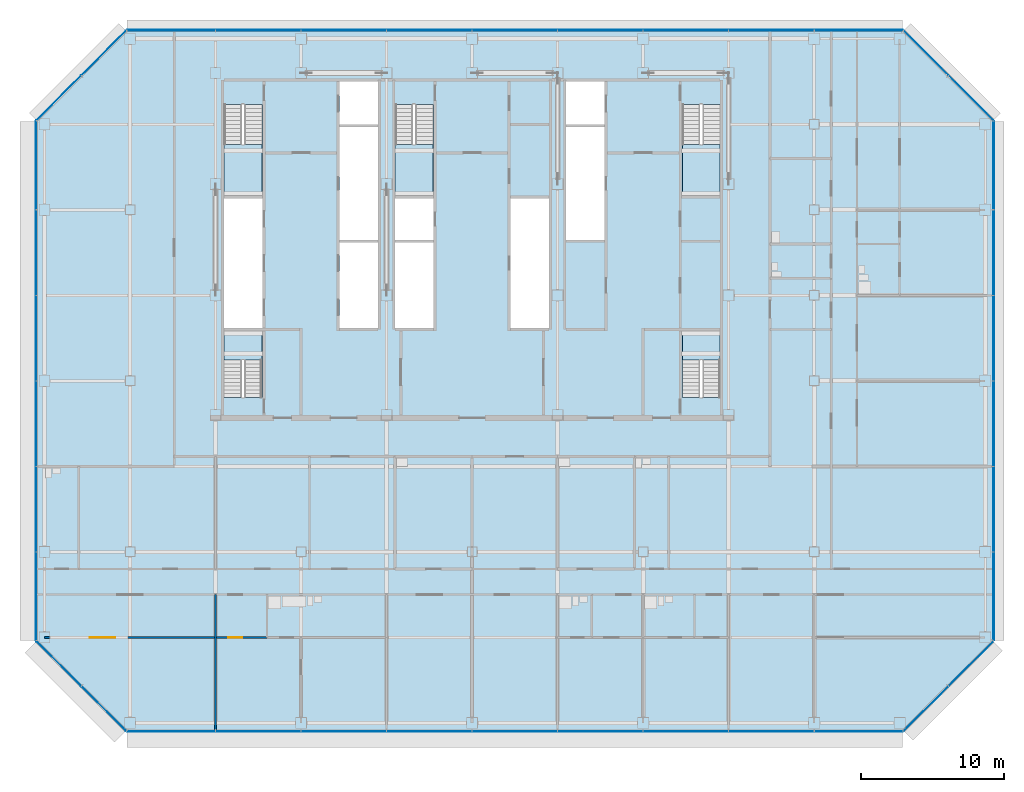
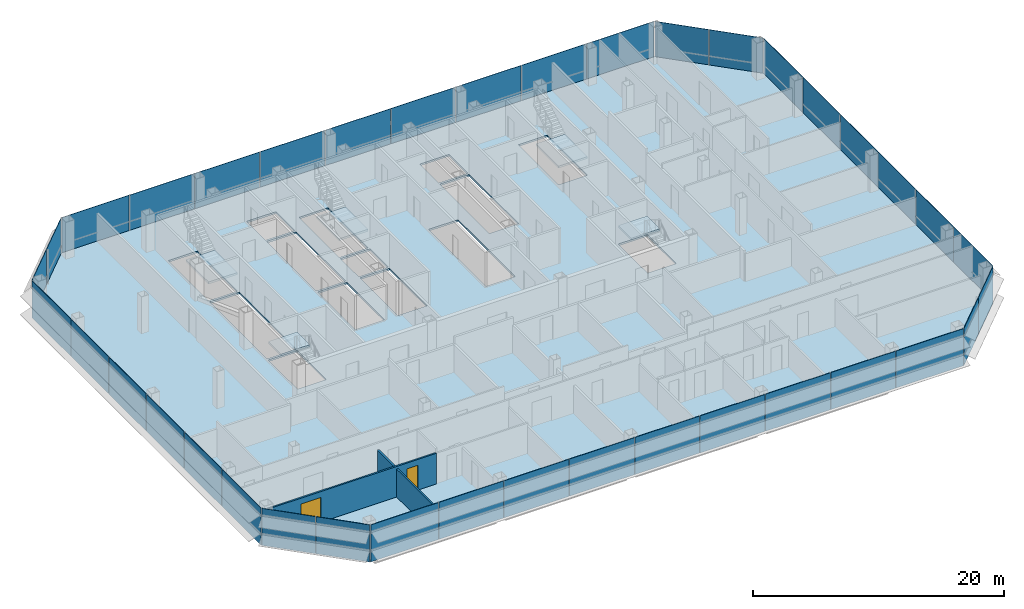
# One storey, part 18 of 25: 38 plates, 6 slabs, 2 doors, 2 walls, 2 openings, 13 elements without a shape of their own.
"""IFC4 building model written with IfcOpenShell, lengths in metres."""

from ifc_helpers import new_model, si_unit, direction, frame, frame_2d, origin, origin_2d, place, context, subcontext, project, spatial, polyline, rectangle, outline, extrude, material, layer, layer_set, type_object, element, fill, aggregate, save


model = new_model("IFC4")

# Units and contexts
model_context = context("Model", 3, precision=1e-05, world=origin(), true_north=direction((0.0, 1.0)))
body_context = subcontext(model_context, "Body", "Model", "MODEL_VIEW")
ifc_project = project(units=[si_unit("LENGTHUNIT", "METRE"), si_unit("AREAUNIT", "SQUARE_METRE"), si_unit("VOLUMEUNIT", "CUBIC_METRE"), si_unit("PLANEANGLEUNIT", "RADIAN"), si_unit("MASSUNIT", "GRAM", prefix="KILO")], contexts=[model_context])

# Site, building, storey
site_placement = place(None, origin())
site = spatial("IfcSite", under=ifc_project, at=site_placement, CompositionType="ELEMENT")
building_placement = place(site_placement, origin())
building = spatial("IfcBuilding", under=site, at=building_placement, Name="Sorahane Residences", CompositionType="ELEMENT")
storey_placement = place(building_placement, frame((0.0, 0.0, 123.199951171875)))
storey = spatial("IfcBuildingStorey", under=building, at=storey_placement, Name="L27", CompositionType="ELEMENT", Elevation=123.199951171875)

# Slab
ifc_material_1 = material(Name="Concrete C35", Category="concrete")
ifc_layer_1 = layer(ifc_material_1, 0.179931640625)
ifc_layer_set_1 = layer_set([ifc_layer_1], Name="Composite floor slab 180 mm Concrete C35")
slab_type_1 = type_object("IfcSlabType", Name="Composite floor slab 180 mm Concrete C35", PredefinedType="FLOOR", material=ifc_layer_set_1)
slab_1_placement = place(storey_placement, frame((0.0, 0.0, -0.179931640625)))
element("IfcSlab", 1, at=slab_1_placement, inside=storey, type_object=slab_type_1, Name="Slab L27", PredefinedType="FLOOR", context=body_context, shape_type="SweptSolid", body=[
    extrude(outline(polyline([(-0.24853515625, -0.60009765625), (-6.60009765625, 5.75146484375), (-6.60009765625, 42.24853515625), (-0.24853515625, 48.60009765625), (54.24853515625, 48.60009765625), (60.60009765625, 42.24853515625), (60.60009765625, 5.75146484375), (54.24853515625, -0.60009765625), (-0.24853515625, -0.60009765625)]), holes=[polyline([(18.60009765625, 27.699951171875), (21.300048828125, 27.699951171875), (21.300048828125, 33.699951171875), (18.60009765625, 33.699951171875), (18.60009765625, 27.699951171875)]), polyline([(30.60009765625, 42.0), (33.300048828125, 42.0), (33.300048828125, 45.0), (30.60009765625, 45.0), (30.60009765625, 42.0)]), polyline([(14.699951171875, 27.699951171875), (17.39990234375, 27.699951171875), (17.39990234375, 33.699951171875), (14.699951171875, 33.699951171875), (14.699951171875, 27.699951171875)]), polyline([(14.699951171875, 42.0), (17.39990234375, 42.0), (17.39990234375, 45.0), (14.699951171875, 45.0), (14.699951171875, 42.0)]), polyline([(6.60009765625, 27.699951171875), (9.300048828125, 27.699951171875), (9.300048828125, 36.800048828125), (6.60009765625, 36.800048828125), (6.60009765625, 27.699951171875)]), polyline([(6.60009765625, 43.39990234375), (6.60009765625, 37.0), (9.25, 37.0), (9.25, 43.39990234375), (6.60009765625, 43.39990234375)]), polyline([(38.75, 43.39990234375), (38.75, 37.0), (41.39990234375, 37.0), (41.39990234375, 43.39990234375), (38.75, 43.39990234375)]), polyline([(18.60009765625, 43.39990234375), (18.60009765625, 37.0), (21.25, 37.0), (21.25, 43.39990234375), (18.60009765625, 43.39990234375)]), polyline([(9.25, 22.85009765625), (9.25, 27.5), (6.60009765625, 27.5), (6.60009765625, 22.85009765625), (9.25, 22.85009765625)]), polyline([(41.39990234375, 22.85009765625), (41.39990234375, 27.5), (38.75, 27.5), (38.75, 22.85009765625), (41.39990234375, 22.85009765625)]), polyline([(14.699951171875, 33.89990234375), (17.39990234375, 33.89990234375), (17.39990234375, 41.800048828125), (14.699951171875, 41.800048828125), (14.699951171875, 33.89990234375)]), polyline([(30.60009765625, 33.89990234375), (33.300048828125, 33.89990234375), (33.300048828125, 41.800048828125), (30.60009765625, 41.800048828125), (30.60009765625, 33.89990234375)]), polyline([(18.60009765625, 33.89990234375), (21.300048828125, 33.89990234375), (21.300048828125, 36.800048828125), (18.60009765625, 36.800048828125), (18.60009765625, 33.89990234375)]), polyline([(26.699951171875, 27.699951171875), (29.39990234375, 27.699951171875), (29.39990234375, 36.800048828125), (26.699951171875, 36.800048828125), (26.699951171875, 27.699951171875)])]), origin(), (0.0, 0.0, 1.0), 0.179931640625),
])

# Curtain wall, plates
ifc_material_2 = material(Name="Dark low-e glass and black anodised aluminium", Category="aluminium")
curtain_wall_type_1 = type_object("IfcCurtainWallType", Name="Curtain wall CW-1 Typical unitised wall", PredefinedType="NOTDEFINED", material=ifc_material_2)
curtain_wall_1_placement = place(storey_placement, origin())
curtain_wall_1 = element("IfcCurtainWall", 2, at=curtain_wall_1_placement, inside=storey, type_object=curtain_wall_type_1, Name="CW-1 curtain wall L27 S1", PredefinedType="NOTDEFINED")
ifc_material_3 = material(Name="Dark low-e glass with black ceramic frit", Category="glass")
ifc_layer_2 = layer(ifc_material_3, 0.0400390625)
ifc_layer_set_2 = layer_set([ifc_layer_2], Name="Curtain wall glass panel dark low-e with black frit spandrel band")
plate_type = type_object("IfcPlateType", Name="Curtain wall glass panel dark low-e with black frit spandrel band", PredefinedType="CURTAIN_PANEL", material=ifc_layer_set_2)
plate_1_placement = place(storey_placement, frame((2.88818359375, -0.60009765625, -0.179931640625), z_axis=(0.0, 0.0, 1.0), x_axis=(1.0, 0.0, 0.0)))
plate_1 = element("IfcPlate", 3, at=plate_1_placement, type_object=plate_type, Name="CW-1 glass panel L27 S1.1", PredefinedType="CURTAIN_PANEL", context=body_context, shape_type="SweptSolid", body=[
    extrude(rectangle(XDim=6.173583984375, YDim=0.0400390625, at=origin_2d()), origin(), (0.0, 0.0, 1.0), 3.60009765625),
])
plate_2_placement = place(storey_placement, frame((9.0, -0.60009765625, -0.179931640625), z_axis=(0.0, 0.0, 1.0), x_axis=(1.0, 0.0, 0.0)))
plate_2 = element("IfcPlate", 4, at=plate_2_placement, type_object=plate_type, Name="CW-1 glass panel L27 S1.2", PredefinedType="CURTAIN_PANEL", context=body_context, shape_type="SweptSolid", body=[
    extrude(rectangle(XDim=5.949951171875, YDim=0.0400390625, at=origin_2d()), origin(), (0.0, 0.0, 1.0), 3.60009765625),
])
plate_3_placement = place(storey_placement, frame((15.0, -0.60009765625, -0.179931640625), z_axis=(0.0, 0.0, 1.0), x_axis=(1.0, 0.0, 0.0)))
plate_3 = element("IfcPlate", 5, at=plate_3_placement, type_object=plate_type, Name="CW-1 glass panel L27 S1.3", PredefinedType="CURTAIN_PANEL", context=body_context, shape_type="SweptSolid", body=[
    extrude(rectangle(XDim=5.949951171875, YDim=0.0400390625, at=origin_2d()), origin(), (0.0, 0.0, 1.0), 3.60009765625),
])
plate_4_placement = place(storey_placement, frame((21.0, -0.60009765625, -0.179931640625), z_axis=(0.0, 0.0, 1.0), x_axis=(1.0, 0.0, 0.0)))
plate_4 = element("IfcPlate", 6, at=plate_4_placement, type_object=plate_type, Name="CW-1 glass panel L27 S1.4", PredefinedType="CURTAIN_PANEL", context=body_context, shape_type="SweptSolid", body=[
    extrude(rectangle(XDim=5.949951171875, YDim=0.0400390625, at=origin_2d()), origin(), (0.0, 0.0, 1.0), 3.60009765625),
])
plate_5_placement = place(storey_placement, frame((27.0, -0.60009765625, -0.179931640625), z_axis=(0.0, 0.0, 1.0), x_axis=(1.0, 0.0, 0.0)))
plate_5 = element("IfcPlate", 7, at=plate_5_placement, type_object=plate_type, Name="CW-1 glass panel L27 S1.5", PredefinedType="CURTAIN_PANEL", context=body_context, shape_type="SweptSolid", body=[
    extrude(rectangle(XDim=5.949951171875, YDim=0.0400390625, at=origin_2d()), origin(), (0.0, 0.0, 1.0), 3.60009765625),
])
plate_6_placement = place(storey_placement, frame((33.0, -0.60009765625, -0.179931640625), z_axis=(0.0, 0.0, 1.0), x_axis=(1.0, 0.0, 0.0)))
plate_6 = element("IfcPlate", 8, at=plate_6_placement, type_object=plate_type, Name="CW-1 glass panel L27 S1.6", PredefinedType="CURTAIN_PANEL", context=body_context, shape_type="SweptSolid", body=[
    extrude(rectangle(XDim=5.949951171875, YDim=0.0400390625, at=origin_2d()), origin(), (0.0, 0.0, 1.0), 3.60009765625),
])
plate_7_placement = place(storey_placement, frame((39.0, -0.60009765625, -0.179931640625), z_axis=(0.0, 0.0, 1.0), x_axis=(1.0, 0.0, 0.0)))
plate_7 = element("IfcPlate", 9, at=plate_7_placement, type_object=plate_type, Name="CW-1 glass panel L27 S1.7", PredefinedType="CURTAIN_PANEL", context=body_context, shape_type="SweptSolid", body=[
    extrude(rectangle(XDim=5.949951171875, YDim=0.0400390625, at=origin_2d()), origin(), (0.0, 0.0, 1.0), 3.60009765625),
])
plate_8_placement = place(storey_placement, frame((45.0, -0.60009765625, -0.179931640625), z_axis=(0.0, 0.0, 1.0), x_axis=(1.0, 0.0, 0.0)))
plate_8 = element("IfcPlate", 10, at=plate_8_placement, type_object=plate_type, Name="CW-1 glass panel L27 S1.8", PredefinedType="CURTAIN_PANEL", context=body_context, shape_type="SweptSolid", body=[
    extrude(rectangle(XDim=5.949951171875, YDim=0.0400390625, at=origin_2d()), origin(), (0.0, 0.0, 1.0), 3.60009765625),
])
plate_9_placement = place(storey_placement, frame((51.11181640625, -0.60009765625, -0.179931640625), z_axis=(0.0, 0.0, 1.0), x_axis=(1.0, 0.0, 0.0)))
plate_9 = element("IfcPlate", 11, at=plate_9_placement, type_object=plate_type, Name="CW-1 glass panel L27 S1.9", PredefinedType="CURTAIN_PANEL", context=body_context, shape_type="SweptSolid", body=[
    extrude(rectangle(XDim=6.173583984375, YDim=0.0400390625, at=origin_2d()), origin(), (0.0, 0.0, 1.0), 3.60009765625),
])
aggregate(curtain_wall_1, [plate_1, plate_2, plate_3, plate_4, plate_5, plate_6, plate_7, plate_8, plate_9])

ifc_material_4 = material(Name="Dark low-e glass and black anodised aluminium", Category="aluminium")
curtain_wall_type_2 = type_object("IfcCurtainWallType", Name="Curtain wall CW-2 Chamfer unitised wall", PredefinedType="NOTDEFINED", material=ifc_material_4)
curtain_wall_2_placement = place(storey_placement, origin())
curtain_wall_2 = element("IfcCurtainWall", 12, at=curtain_wall_2_placement, inside=storey, type_object=curtain_wall_type_2, Name="CW-2 curtain wall L27 SE1", PredefinedType="NOTDEFINED")
plate_10_placement = place(storey_placement, frame((55.84521484375, 0.996826171875, -0.179931640625), z_axis=(0.0, 0.0, 1.0), x_axis=(0.707106781187, 0.707106781187, 0.0)))
plate_10 = element("IfcPlate", 13, at=plate_10_placement, type_object=plate_type, Name="CW-2 glass panel L27 SE1.1", PredefinedType="CURTAIN_PANEL", context=body_context, shape_type="SweptSolid", body=[
    extrude(rectangle(XDim=4.416259765625, YDim=0.0400390625, at=origin_2d()), origin(), (0.0, 0.0, 1.0), 3.60009765625),
])
plate_11_placement = place(storey_placement, frame((59.003173828125, 4.15478515625, -0.179931640625), z_axis=(0.0, 0.0, 1.0), x_axis=(0.707106781187, 0.707106781187, 0.0)))
plate_11 = element("IfcPlate", 14, at=plate_11_placement, type_object=plate_type, Name="CW-2 glass panel L27 SE1.2", PredefinedType="CURTAIN_PANEL", context=body_context, shape_type="SweptSolid", body=[
    extrude(rectangle(XDim=4.416259765625, YDim=0.0400390625, at=origin_2d()), origin(), (0.0, 0.0, 1.0), 3.60009765625),
])
aggregate(curtain_wall_2, [plate_10, plate_11])

curtain_wall_3_placement = place(storey_placement, origin())
curtain_wall_3 = element("IfcCurtainWall", 15, at=curtain_wall_3_placement, inside=storey, type_object=curtain_wall_type_1, Name="CW-1 curtain wall L27 E1", PredefinedType="NOTDEFINED")
plate_12_placement = place(storey_placement, frame((60.60009765625, 8.88818359375, -0.179931640625), z_axis=(0.0, 0.0, 1.0), x_axis=(0.0, 1.0, 0.0)))
plate_12 = element("IfcPlate", 16, at=plate_12_placement, type_object=plate_type, Name="CW-1 glass panel L27 E1.1", PredefinedType="CURTAIN_PANEL", context=body_context, shape_type="SweptSolid", body=[
    extrude(rectangle(XDim=6.173583984375, YDim=0.0400390625, at=origin_2d()), origin(), (0.0, 0.0, 1.0), 3.60009765625),
])
plate_13_placement = place(storey_placement, frame((60.60009765625, 15.0, -0.179931640625), z_axis=(0.0, 0.0, 1.0), x_axis=(0.0, 1.0, 0.0)))
plate_13 = element("IfcPlate", 17, at=plate_13_placement, type_object=plate_type, Name="CW-1 glass panel L27 E1.2", PredefinedType="CURTAIN_PANEL", context=body_context, shape_type="SweptSolid", body=[
    extrude(rectangle(XDim=5.949951171875, YDim=0.0400390625, at=origin_2d()), origin(), (0.0, 0.0, 1.0), 3.60009765625),
])
plate_14_placement = place(storey_placement, frame((60.60009765625, 21.0, -0.179931640625), z_axis=(0.0, 0.0, 1.0), x_axis=(0.0, 1.0, 0.0)))
plate_14 = element("IfcPlate", 18, at=plate_14_placement, type_object=plate_type, Name="CW-1 glass panel L27 E1.3", PredefinedType="CURTAIN_PANEL", context=body_context, shape_type="SweptSolid", body=[
    extrude(rectangle(XDim=5.949951171875, YDim=0.0400390625, at=origin_2d()), origin(), (0.0, 0.0, 1.0), 3.60009765625),
])
plate_15_placement = place(storey_placement, frame((60.60009765625, 27.0, -0.179931640625), z_axis=(0.0, 0.0, 1.0), x_axis=(0.0, 1.0, 0.0)))
plate_15 = element("IfcPlate", 19, at=plate_15_placement, type_object=plate_type, Name="CW-1 glass panel L27 E1.4", PredefinedType="CURTAIN_PANEL", context=body_context, shape_type="SweptSolid", body=[
    extrude(rectangle(XDim=5.949951171875, YDim=0.0400390625, at=origin_2d()), origin(), (0.0, 0.0, 1.0), 3.60009765625),
])
plate_16_placement = place(storey_placement, frame((60.60009765625, 33.0, -0.179931640625), z_axis=(0.0, 0.0, 1.0), x_axis=(0.0, 1.0, 0.0)))
plate_16 = element("IfcPlate", 20, at=plate_16_placement, type_object=plate_type, Name="CW-1 glass panel L27 E1.5", PredefinedType="CURTAIN_PANEL", context=body_context, shape_type="SweptSolid", body=[
    extrude(rectangle(XDim=5.949951171875, YDim=0.0400390625, at=origin_2d()), origin(), (0.0, 0.0, 1.0), 3.60009765625),
])
plate_17_placement = place(storey_placement, frame((60.60009765625, 39.11181640625, -0.179931640625), z_axis=(0.0, 0.0, 1.0), x_axis=(0.0, 1.0, 0.0)))
plate_17 = element("IfcPlate", 21, at=plate_17_placement, type_object=plate_type, Name="CW-1 glass panel L27 E1.6", PredefinedType="CURTAIN_PANEL", context=body_context, shape_type="SweptSolid", body=[
    extrude(rectangle(XDim=6.173583984375, YDim=0.0400390625, at=origin_2d()), origin(), (0.0, 0.0, 1.0), 3.60009765625),
])
aggregate(curtain_wall_3, [plate_12, plate_13, plate_14, plate_15, plate_16, plate_17])

curtain_wall_4_placement = place(storey_placement, origin())
curtain_wall_4 = element("IfcCurtainWall", 22, at=curtain_wall_4_placement, inside=storey, type_object=curtain_wall_type_2, Name="CW-2 curtain wall L27 NE1", PredefinedType="NOTDEFINED")
plate_18_placement = place(storey_placement, frame((59.003173828125, 43.84521484375, -0.179931640625), z_axis=(0.0, 0.0, 1.0), x_axis=(-0.707106781187, 0.707106781187, 0.0)))
plate_18 = element("IfcPlate", 23, at=plate_18_placement, type_object=plate_type, Name="CW-2 glass panel L27 NE1.1", PredefinedType="CURTAIN_PANEL", context=body_context, shape_type="SweptSolid", body=[
    extrude(rectangle(XDim=4.416259765625, YDim=0.0400390625, at=origin_2d()), origin(), (0.0, 0.0, 1.0), 3.60009765625),
])
plate_19_placement = place(storey_placement, frame((55.84521484375, 47.003173828125, -0.179931640625), z_axis=(0.0, 0.0, 1.0), x_axis=(-0.707106781187, 0.707106781187, 0.0)))
plate_19 = element("IfcPlate", 24, at=plate_19_placement, type_object=plate_type, Name="CW-2 glass panel L27 NE1.2", PredefinedType="CURTAIN_PANEL", context=body_context, shape_type="SweptSolid", body=[
    extrude(rectangle(XDim=4.416259765625, YDim=0.0400390625, at=origin_2d()), origin(), (0.0, 0.0, 1.0), 3.60009765625),
])
aggregate(curtain_wall_4, [plate_18, plate_19])

curtain_wall_5_placement = place(storey_placement, origin())
curtain_wall_5 = element("IfcCurtainWall", 25, at=curtain_wall_5_placement, inside=storey, type_object=curtain_wall_type_1, Name="CW-1 curtain wall L27 N1", PredefinedType="NOTDEFINED")
plate_20_placement = place(storey_placement, frame((51.11181640625, 48.60009765625, -0.179931640625), z_axis=(0.0, 0.0, 1.0), x_axis=(-1.0, 0.0, 0.0)))
plate_20 = element("IfcPlate", 26, at=plate_20_placement, type_object=plate_type, Name="CW-1 glass panel L27 N1.1", PredefinedType="CURTAIN_PANEL", context=body_context, shape_type="SweptSolid", body=[
    extrude(rectangle(XDim=6.173583984375, YDim=0.0400390625, at=origin_2d()), origin(), (0.0, 0.0, 1.0), 3.60009765625),
])
plate_21_placement = place(storey_placement, frame((45.0, 48.60009765625, -0.179931640625), z_axis=(0.0, 0.0, 1.0), x_axis=(-1.0, 0.0, 0.0)))
plate_21 = element("IfcPlate", 27, at=plate_21_placement, type_object=plate_type, Name="CW-1 glass panel L27 N1.2", PredefinedType="CURTAIN_PANEL", context=body_context, shape_type="SweptSolid", body=[
    extrude(rectangle(XDim=5.949951171875, YDim=0.0400390625, at=origin_2d()), origin(), (0.0, 0.0, 1.0), 3.60009765625),
])
plate_22_placement = place(storey_placement, frame((39.0, 48.60009765625, -0.179931640625), z_axis=(0.0, 0.0, 1.0), x_axis=(-1.0, 0.0, 0.0)))
plate_22 = element("IfcPlate", 28, at=plate_22_placement, type_object=plate_type, Name="CW-1 glass panel L27 N1.3", PredefinedType="CURTAIN_PANEL", context=body_context, shape_type="SweptSolid", body=[
    extrude(rectangle(XDim=5.949951171875, YDim=0.0400390625, at=origin_2d()), origin(), (0.0, 0.0, 1.0), 3.60009765625),
])
plate_23_placement = place(storey_placement, frame((33.0, 48.60009765625, -0.179931640625), z_axis=(0.0, 0.0, 1.0), x_axis=(-1.0, 0.0, 0.0)))
plate_23 = element("IfcPlate", 29, at=plate_23_placement, type_object=plate_type, Name="CW-1 glass panel L27 N1.4", PredefinedType="CURTAIN_PANEL", context=body_context, shape_type="SweptSolid", body=[
    extrude(rectangle(XDim=5.949951171875, YDim=0.0400390625, at=origin_2d()), origin(), (0.0, 0.0, 1.0), 3.60009765625),
])
plate_24_placement = place(storey_placement, frame((27.0, 48.60009765625, -0.179931640625), z_axis=(0.0, 0.0, 1.0), x_axis=(-1.0, 0.0, 0.0)))
plate_24 = element("IfcPlate", 30, at=plate_24_placement, type_object=plate_type, Name="CW-1 glass panel L27 N1.5", PredefinedType="CURTAIN_PANEL", context=body_context, shape_type="SweptSolid", body=[
    extrude(rectangle(XDim=5.949951171875, YDim=0.0400390625, at=origin_2d()), origin(), (0.0, 0.0, 1.0), 3.60009765625),
])
plate_25_placement = place(storey_placement, frame((21.0, 48.60009765625, -0.179931640625), z_axis=(0.0, 0.0, 1.0), x_axis=(-1.0, 0.0, 0.0)))
plate_25 = element("IfcPlate", 31, at=plate_25_placement, type_object=plate_type, Name="CW-1 glass panel L27 N1.6", PredefinedType="CURTAIN_PANEL", context=body_context, shape_type="SweptSolid", body=[
    extrude(rectangle(XDim=5.949951171875, YDim=0.0400390625, at=origin_2d()), origin(), (0.0, 0.0, 1.0), 3.60009765625),
])
plate_26_placement = place(storey_placement, frame((15.0, 48.60009765625, -0.179931640625), z_axis=(0.0, 0.0, 1.0), x_axis=(-1.0, 0.0, 0.0)))
plate_26 = element("IfcPlate", 32, at=plate_26_placement, type_object=plate_type, Name="CW-1 glass panel L27 N1.7", PredefinedType="CURTAIN_PANEL", context=body_context, shape_type="SweptSolid", body=[
    extrude(rectangle(XDim=5.949951171875, YDim=0.0400390625, at=origin_2d()), origin(), (0.0, 0.0, 1.0), 3.60009765625),
])
plate_27_placement = place(storey_placement, frame((9.0, 48.60009765625, -0.179931640625), z_axis=(0.0, 0.0, 1.0), x_axis=(-1.0, 0.0, 0.0)))
plate_27 = element("IfcPlate", 33, at=plate_27_placement, type_object=plate_type, Name="CW-1 glass panel L27 N1.8", PredefinedType="CURTAIN_PANEL", context=body_context, shape_type="SweptSolid", body=[
    extrude(rectangle(XDim=5.949951171875, YDim=0.0400390625, at=origin_2d()), origin(), (0.0, 0.0, 1.0), 3.60009765625),
])
plate_28_placement = place(storey_placement, frame((2.88818359375, 48.60009765625, -0.179931640625), z_axis=(0.0, 0.0, 1.0), x_axis=(-1.0, 0.0, 0.0)))
plate_28 = element("IfcPlate", 34, at=plate_28_placement, type_object=plate_type, Name="CW-1 glass panel L27 N1.9", PredefinedType="CURTAIN_PANEL", context=body_context, shape_type="SweptSolid", body=[
    extrude(rectangle(XDim=6.173583984375, YDim=0.0400390625, at=origin_2d()), origin(), (0.0, 0.0, 1.0), 3.60009765625),
])
aggregate(curtain_wall_5, [plate_20, plate_21, plate_22, plate_23, plate_24, plate_25, plate_26, plate_27, plate_28])

curtain_wall_6_placement = place(storey_placement, origin())
curtain_wall_6 = element("IfcCurtainWall", 35, at=curtain_wall_6_placement, inside=storey, type_object=curtain_wall_type_2, Name="CW-2 curtain wall L27 NW1", PredefinedType="NOTDEFINED")
plate_29_placement = place(storey_placement, frame((-1.84521484375, 47.003173828125, -0.179931640625), z_axis=(0.0, 0.0, 1.0), x_axis=(-0.707106781187, -0.707106781187, 0.0)))
plate_29 = element("IfcPlate", 36, at=plate_29_placement, type_object=plate_type, Name="CW-2 glass panel L27 NW1.1", PredefinedType="CURTAIN_PANEL", context=body_context, shape_type="SweptSolid", body=[
    extrude(rectangle(XDim=4.416259765625, YDim=0.0400390625, at=origin_2d()), origin(), (0.0, 0.0, 1.0), 3.60009765625),
])
plate_30_placement = place(storey_placement, frame((-5.003173828125, 43.84521484375, -0.179931640625), z_axis=(0.0, 0.0, 1.0), x_axis=(-0.707106781187, -0.707106781187, 0.0)))
plate_30 = element("IfcPlate", 37, at=plate_30_placement, type_object=plate_type, Name="CW-2 glass panel L27 NW1.2", PredefinedType="CURTAIN_PANEL", context=body_context, shape_type="SweptSolid", body=[
    extrude(rectangle(XDim=4.416259765625, YDim=0.0400390625, at=origin_2d()), origin(), (0.0, 0.0, 1.0), 3.60009765625),
])
aggregate(curtain_wall_6, [plate_29, plate_30])

curtain_wall_7_placement = place(storey_placement, origin())
curtain_wall_7 = element("IfcCurtainWall", 38, at=curtain_wall_7_placement, inside=storey, type_object=curtain_wall_type_1, Name="CW-1 curtain wall L27 W1", PredefinedType="NOTDEFINED")
plate_31_placement = place(storey_placement, frame((-6.60009765625, 39.11181640625, -0.179931640625), z_axis=(0.0, 0.0, 1.0), x_axis=(0.0, -1.0, 0.0)))
plate_31 = element("IfcPlate", 39, at=plate_31_placement, type_object=plate_type, Name="CW-1 glass panel L27 W1.1", PredefinedType="CURTAIN_PANEL", context=body_context, shape_type="SweptSolid", body=[
    extrude(rectangle(XDim=6.173583984375, YDim=0.0400390625, at=origin_2d()), origin(), (0.0, 0.0, 1.0), 3.60009765625),
])
plate_32_placement = place(storey_placement, frame((-6.60009765625, 33.0, -0.179931640625), z_axis=(0.0, 0.0, 1.0), x_axis=(0.0, -1.0, 0.0)))
plate_32 = element("IfcPlate", 40, at=plate_32_placement, type_object=plate_type, Name="CW-1 glass panel L27 W1.2", PredefinedType="CURTAIN_PANEL", context=body_context, shape_type="SweptSolid", body=[
    extrude(rectangle(XDim=5.949951171875, YDim=0.0400390625, at=origin_2d()), origin(), (0.0, 0.0, 1.0), 3.60009765625),
])
plate_33_placement = place(storey_placement, frame((-6.60009765625, 27.0, -0.179931640625), z_axis=(0.0, 0.0, 1.0), x_axis=(0.0, -1.0, 0.0)))
plate_33 = element("IfcPlate", 41, at=plate_33_placement, type_object=plate_type, Name="CW-1 glass panel L27 W1.3", PredefinedType="CURTAIN_PANEL", context=body_context, shape_type="SweptSolid", body=[
    extrude(rectangle(XDim=5.949951171875, YDim=0.0400390625, at=origin_2d()), origin(), (0.0, 0.0, 1.0), 3.60009765625),
])
plate_34_placement = place(storey_placement, frame((-6.60009765625, 21.0, -0.179931640625), z_axis=(0.0, 0.0, 1.0), x_axis=(0.0, -1.0, 0.0)))
plate_34 = element("IfcPlate", 42, at=plate_34_placement, type_object=plate_type, Name="CW-1 glass panel L27 W1.4", PredefinedType="CURTAIN_PANEL", context=body_context, shape_type="SweptSolid", body=[
    extrude(rectangle(XDim=5.949951171875, YDim=0.0400390625, at=origin_2d()), origin(), (0.0, 0.0, 1.0), 3.60009765625),
])
plate_35_placement = place(storey_placement, frame((-6.60009765625, 15.0, -0.179931640625), z_axis=(0.0, 0.0, 1.0), x_axis=(0.0, -1.0, 0.0)))
plate_35 = element("IfcPlate", 43, at=plate_35_placement, type_object=plate_type, Name="CW-1 glass panel L27 W1.5", PredefinedType="CURTAIN_PANEL", context=body_context, shape_type="SweptSolid", body=[
    extrude(rectangle(XDim=5.949951171875, YDim=0.0400390625, at=origin_2d()), origin(), (0.0, 0.0, 1.0), 3.60009765625),
])
plate_36_placement = place(storey_placement, frame((-6.60009765625, 8.88818359375, -0.179931640625), z_axis=(0.0, 0.0, 1.0), x_axis=(0.0, -1.0, 0.0)))
plate_36 = element("IfcPlate", 44, at=plate_36_placement, type_object=plate_type, Name="CW-1 glass panel L27 W1.6", PredefinedType="CURTAIN_PANEL", context=body_context, shape_type="SweptSolid", body=[
    extrude(rectangle(XDim=6.173583984375, YDim=0.0400390625, at=origin_2d()), origin(), (0.0, 0.0, 1.0), 3.60009765625),
])
aggregate(curtain_wall_7, [plate_31, plate_32, plate_33, plate_34, plate_35, plate_36])

curtain_wall_8_placement = place(storey_placement, origin())
curtain_wall_8 = element("IfcCurtainWall", 45, at=curtain_wall_8_placement, inside=storey, type_object=curtain_wall_type_2, Name="CW-2 curtain wall L27 SW1", PredefinedType="NOTDEFINED")
plate_37_placement = place(storey_placement, frame((-5.003173828125, 4.15478515625, -0.179931640625), z_axis=(0.0, 0.0, 1.0), x_axis=(0.707106781187, -0.707106781187, 0.0)))
plate_37 = element("IfcPlate", 46, at=plate_37_placement, type_object=plate_type, Name="CW-2 glass panel L27 SW1.1", PredefinedType="CURTAIN_PANEL", context=body_context, shape_type="SweptSolid", body=[
    extrude(rectangle(XDim=4.416259765625, YDim=0.0400390625, at=origin_2d()), origin(), (0.0, 0.0, 1.0), 3.60009765625),
])
plate_38_placement = place(storey_placement, frame((-1.84521484375, 0.996826171875, -0.179931640625), z_axis=(0.0, 0.0, 1.0), x_axis=(0.707106781187, -0.707106781187, 0.0)))
plate_38 = element("IfcPlate", 47, at=plate_38_placement, type_object=plate_type, Name="CW-2 glass panel L27 SW1.2", PredefinedType="CURTAIN_PANEL", context=body_context, shape_type="SweptSolid", body=[
    extrude(rectangle(XDim=4.416259765625, YDim=0.0400390625, at=origin_2d()), origin(), (0.0, 0.0, 1.0), 3.60009765625),
])
aggregate(curtain_wall_8, [plate_37, plate_38])

# Stair, slab
ifc_material_5 = material(Name="Concrete C40", Category="concrete")
stair_type = type_object("IfcStairType", Name="Dog-leg stair 1250 Concrete C40", PredefinedType="HALF_TURN_STAIR", material=ifc_material_5)
stair_1_placement = place(storey_placement, origin())
stair_1 = element("IfcStair", 48, at=stair_1_placement, inside=storey, type_object=stair_type, Name="L27 Stair S1", PredefinedType="HALF_TURN_STAIR")
ifc_material_6 = material(Name="Concrete C40", Category="concrete")
ifc_layer_3 = layer(ifc_material_6, 0.199951171875)
ifc_layer_set_3 = layer_set([ifc_layer_3], Name="Stair landing 200 Concrete C40")
slab_type_2 = type_object("IfcSlabType", Name="Stair landing 200 Concrete C40", PredefinedType="LANDING", material=ifc_layer_set_3)
slab_2_placement = place(storey_placement, frame((0.0, 0.0, 1.60009765625)))
slab_2 = element("IfcSlab", 49, at=slab_2_placement, type_object=slab_type_2, Name="S1 landing 1", PredefinedType="LANDING", context=body_context, shape_type="SweptSolid", body=[
    extrude(outline(polyline([(6.60009765625, 40.60009765625), (6.60009765625, 37.0), (9.25, 37.0), (9.25, 40.60009765625), (6.60009765625, 40.60009765625)])), origin(), (0.0, 0.0, 1.0), 0.199951171875),
])
aggregate(stair_1, [slab_2])

stair_2_placement = place(storey_placement, origin())
stair_2 = element("IfcStair", 50, at=stair_2_placement, inside=storey, type_object=stair_type, Name="L27 Stair S2", PredefinedType="HALF_TURN_STAIR")
slab_3_placement = place(storey_placement, frame((0.0, 0.0, 1.60009765625)))
slab_3 = element("IfcSlab", 51, at=slab_3_placement, type_object=slab_type_2, Name="S2 landing 1", PredefinedType="LANDING", context=body_context, shape_type="SweptSolid", body=[
    extrude(outline(polyline([(38.75, 40.60009765625), (38.75, 37.0), (41.39990234375, 37.0), (41.39990234375, 40.60009765625), (38.75, 40.60009765625)])), origin(), (0.0, 0.0, 1.0), 0.199951171875),
])
aggregate(stair_2, [slab_3])

stair_3_placement = place(storey_placement, origin())
stair_3 = element("IfcStair", 52, at=stair_3_placement, inside=storey, type_object=stair_type, Name="L27 Stair S3", PredefinedType="HALF_TURN_STAIR")
slab_4_placement = place(storey_placement, frame((0.0, 0.0, 1.60009765625)))
slab_4 = element("IfcSlab", 53, at=slab_4_placement, type_object=slab_type_2, Name="S3 landing 1", PredefinedType="LANDING", context=body_context, shape_type="SweptSolid", body=[
    extrude(outline(polyline([(18.60009765625, 40.60009765625), (18.60009765625, 37.0), (21.25, 37.0), (21.25, 40.60009765625), (18.60009765625, 40.60009765625)])), origin(), (0.0, 0.0, 1.0), 0.199951171875),
])
aggregate(stair_3, [slab_4])

stair_4_placement = place(storey_placement, origin())
stair_4 = element("IfcStair", 54, at=stair_4_placement, inside=storey, type_object=stair_type, Name="L27 Stair S4", PredefinedType="HALF_TURN_STAIR")
slab_5_placement = place(storey_placement, frame((0.0, 0.0, 1.60009765625)))
slab_5 = element("IfcSlab", 55, at=slab_5_placement, type_object=slab_type_2, Name="S4 landing 1", PredefinedType="LANDING", context=body_context, shape_type="SweptSolid", body=[
    extrude(outline(polyline([(9.25, 25.449951171875), (9.25, 27.5), (6.60009765625, 27.5), (6.60009765625, 25.449951171875), (9.25, 25.449951171875)])), origin(), (0.0, 0.0, 1.0), 0.199951171875),
])
aggregate(stair_4, [slab_5])

stair_5_placement = place(storey_placement, origin())
stair_5 = element("IfcStair", 56, at=stair_5_placement, inside=storey, type_object=stair_type, Name="L27 Stair S5", PredefinedType="HALF_TURN_STAIR")
slab_6_placement = place(storey_placement, frame((0.0, 0.0, 1.60009765625)))
slab_6 = element("IfcSlab", 57, at=slab_6_placement, type_object=slab_type_2, Name="S5 landing 1", PredefinedType="LANDING", context=body_context, shape_type="SweptSolid", body=[
    extrude(outline(polyline([(41.39990234375, 25.449951171875), (41.39990234375, 27.5), (38.75, 27.5), (38.75, 25.449951171875), (41.39990234375, 25.449951171875)])), origin(), (0.0, 0.0, 1.0), 0.199951171875),
])
aggregate(stair_5, [slab_6])

# Wall
ifc_material_7 = material(Name="Gypsum board partition on steel studs", Category="steel")
ifc_layer_4 = layer(ifc_material_7, 0.14990234375)
ifc_layer_set_4 = layer_set([ifc_layer_4], Name="Partition 150 EI 90")
wall_type = type_object("IfcWallType", Name="Partition 150 EI 90", PredefinedType="PARTITIONING", material=ifc_layer_set_4)
wall_1_placement = place(storey_placement, frame((6.0, -0.60009765625, 0.0), z_axis=(0.0, 0.0, 1.0), x_axis=(0.0, 1.0, 0.0)))
element("IfcWall", 58, at=wall_1_placement, inside=storey, type_object=wall_type, Name="L27 partition", PredefinedType="PARTITIONING", context=body_context, shape_type="SweptSolid", body=[
    extrude(rectangle(XDim=9.60009765625, YDim=0.14990234375, at=frame_2d((4.800048828125, 0.0))), origin(), (0.0, 0.0, 1.0), 2.719970703125),
])

# Wall, openings, doors
wall_2_placement = place(storey_placement, frame((-6.0, 6.0, 0.0), z_axis=(0.0, 0.0, 1.0), x_axis=(1.0, 0.0, 0.0)))
wall_2 = element("IfcWall", 59, at=wall_2_placement, inside=storey, type_object=wall_type, Name="L27 partition", PredefinedType="PARTITIONING", context=body_context, shape_type="SweptSolid", body=[
    extrude(rectangle(XDim=15.60009765625, YDim=0.14990234375, at=frame_2d((7.800048828125, 0.0))), origin(), (0.0, 0.0, 1.0), 2.969970703125),
])
opening_1_placement = place(wall_2_placement, frame((3.159912109375, 0.0, 0.0)))
opening_1 = element("IfcOpeningElement", 60, at=opening_1_placement, cuts=wall_2, Name="Opening L27-09", PredefinedType="OPENING", context=body_context, shape_type="SweptSolid", body=[
    extrude(rectangle(XDim=1.800048828125, YDim=2.39990234375, at=frame_2d((0.89990234375, 1.199951171875))), frame((0.0, 0.0849609375, 0.0), z_axis=(0.0, -1.0, 0.0), x_axis=(1.0, 0.0, 0.0)), (0.0, 0.0, 1.0), 0.169921875),
])
opening_2_placement = place(wall_2_placement, frame((12.8798828125, 0.0, 0.0)))
opening_2 = element("IfcOpeningElement", 61, at=opening_2_placement, cuts=wall_2, Name="Opening L27-10", PredefinedType="OPENING", context=body_context, shape_type="SweptSolid", body=[
    extrude(rectangle(XDim=1.0, YDim=2.39990234375, at=frame_2d((0.5, 1.199951171875))), frame((0.0, 0.0849609375, 0.0), z_axis=(0.0, -1.0, 0.0), x_axis=(1.0, 0.0, 0.0)), (0.0, 0.0, 1.0), 0.169921875),
])
ifc_material_8 = material(Name="Timber veneered fire door", Category="wood")
door_type_1 = type_object("IfcDoorType", Name="Double door 1800x2400 FD30", OperationType="NOTDEFINED", PredefinedType="DOOR", material=ifc_material_8)
door_1_placement = place(opening_1_placement, frame((1.800048828125, 0.0, 0.0), z_axis=(0.0, 0.0, 1.0), x_axis=(-1.0, 0.0, 0.0)))
door_1 = element("IfcDoor", 62, at=door_1_placement, inside=storey, type_object=door_type_1, Name="Double door L27-09", OperationType="SINGLE_SWING_RIGHT", OverallHeight=2.39990234375, OverallWidth=1.800048828125, PredefinedType="DOOR", context=body_context, shape_type="SweptSolid", body=[
    extrude(rectangle(XDim=1.800048828125, YDim=2.39990234375, at=frame_2d((0.89990234375, 1.199951171875))), frame((0.0, 0.02490234375, 0.0), z_axis=(0.0, -1.0, 0.0), x_axis=(1.0, 0.0, 0.0)), (0.0, 0.0, 1.0), 0.050048828125),
])
fill(opening_1, door_1)
ifc_material_9 = material(Name="Timber veneered fire door", Category="wood")
door_type_2 = type_object("IfcDoorType", Name="Room door 1000x2400 FD30", OperationType="NOTDEFINED", PredefinedType="DOOR", material=ifc_material_9)
door_2_placement = place(opening_2_placement, frame((1.0, 0.0, 0.0), z_axis=(0.0, 0.0, 1.0), x_axis=(-1.0, 0.0, 0.0)))
door_2 = element("IfcDoor", 63, at=door_2_placement, inside=storey, type_object=door_type_2, Name="Room door L27-10", OperationType="SINGLE_SWING_RIGHT", OverallHeight=2.39990234375, OverallWidth=1.0, PredefinedType="DOOR", context=body_context, shape_type="SweptSolid", body=[
    extrude(rectangle(XDim=1.0, YDim=2.39990234375, at=frame_2d((0.5, 1.199951171875))), frame((0.0, 0.02490234375, 0.0), z_axis=(0.0, -1.0, 0.0), x_axis=(1.0, 0.0, 0.0)), (0.0, 0.0, 1.0), 0.050048828125),
])
fill(opening_2, door_2)

save(model, "model.ifc")
